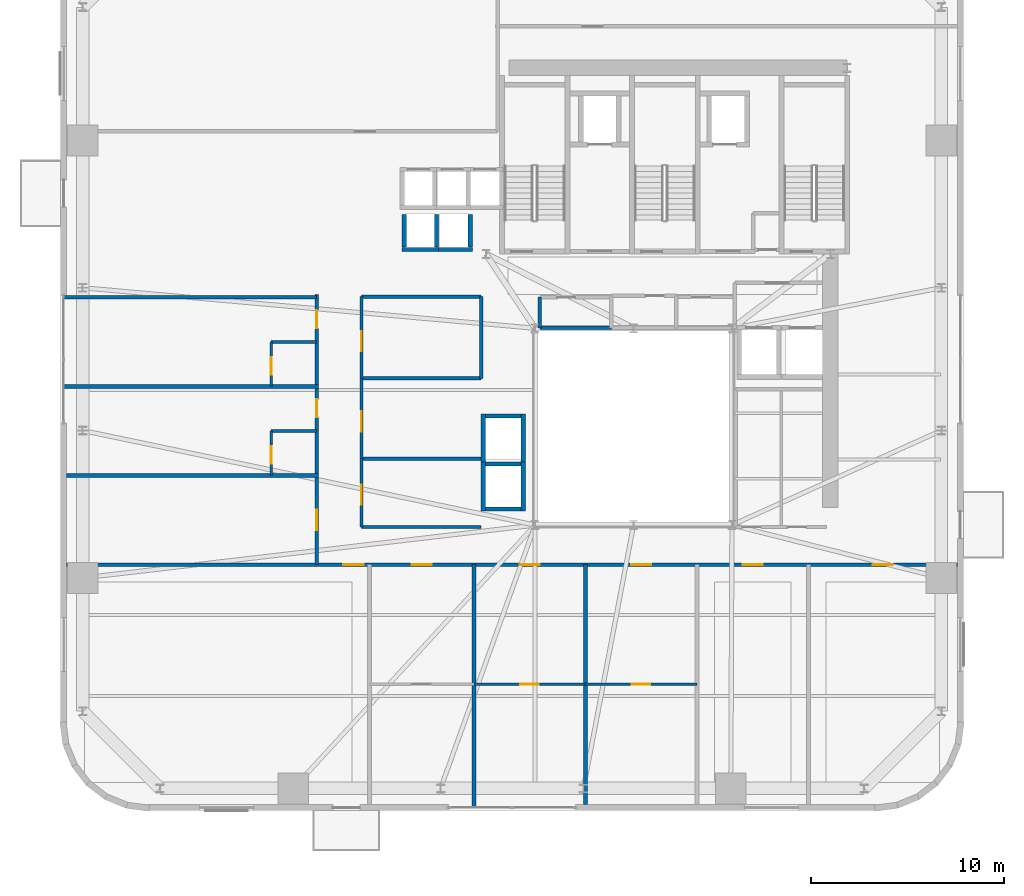
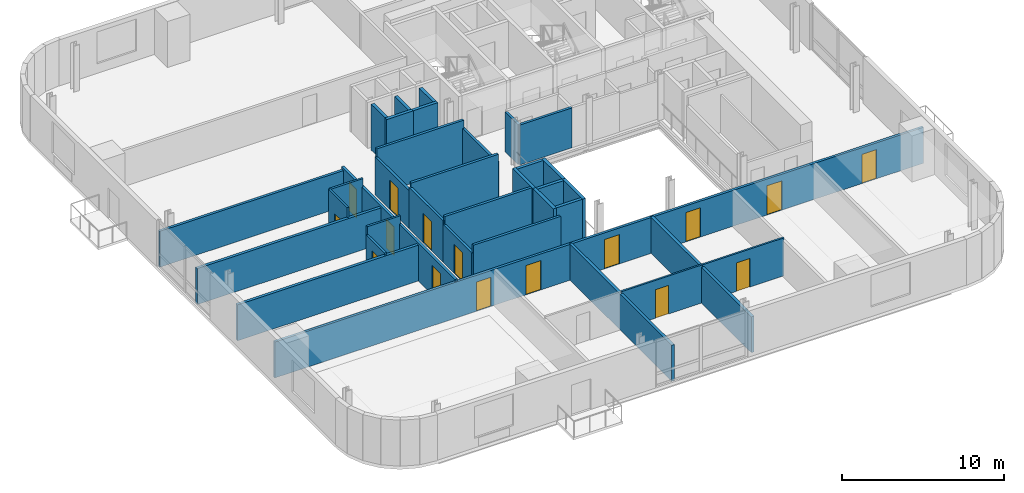
# One storey, part 6 of 14: 35 walls, 16 doors, 16 openings.
"""IFC4 building model written with IfcOpenShell, lengths in metres."""

import ifcopenshell
import ifcopenshell.guid

model = None  # the IFC model being written
_history = None  # IfcOwnerHistory: only IFC2X3 demands one
_inside = {}  # id of a spatial element -> (the spatial element, [elements in it])
_under = {}  # id of a project, library or spatial element -> (it, [spatial elements below it])
_declared = {}  # id of a project -> (the project, [libraries it declares])
_typed = {}  # id of a type object -> (the type object, [elements of that type])
_made_of = {}  # id of a material, layer set ... -> (it, [elements and type objects made of it])


def new_model(schema):
    """Start an empty IFC model of exactly this schema.

    Asked for "IFC4X3", IfcOpenShell would pick the latest addendum, in which some entities
    have other attributes; the version numbers below select the first issue.
    IFC2X3 requires an IfcOwnerHistory on every rooted entity: one is made here for all.
    """
    global model, _history
    if schema == "IFC4X3":
        model = ifcopenshell.file(schema_version=(4, 3, 0, 0))
    else:
        model = ifcopenshell.file(schema=schema)
    _inside.clear()
    _under.clear()
    _declared.clear()
    _typed.clear()
    _made_of.clear()
    _history = None
    if model.schema == "IFC2X3":
        org = make("IfcOrganization", Name="unknown")
        user = make(
            "IfcPersonAndOrganization",
            ThePerson=make("IfcPerson", FamilyName="unknown"),
            TheOrganization=org,
        )
        app = make(
            "IfcApplication",
            ApplicationDeveloper=org,
            Version="unknown",
            ApplicationFullName="unknown",
            ApplicationIdentifier="unknown",
        )
        _history = make(
            "IfcOwnerHistory",
            OwningUser=user,
            OwningApplication=app,
            ChangeAction="ADDED",
            CreationDate=0,
        )
    return model


def make(cls, **values):
    """One entity of the class cls with the attributes given. An attribute that is None is left unset."""
    return model.create_entity(
        cls, **{name: value for name, value in values.items() if value is not None}
    )


def rooted(cls, **values):
    """An entity with a GlobalId (a new one), such as an element, a storey or a relation."""
    return make(cls, GlobalId=ifcopenshell.guid.new(), OwnerHistory=_history, **values)


def si_unit(unit_type, name, prefix=None):
    """IfcSIUnit, for example si_unit("LENGTHUNIT", "METRE", prefix="MILLI")."""
    return make("IfcSIUnit", UnitType=unit_type, Prefix=prefix, Name=name)


def assignment(units):
    """IfcUnitAssignment: the units of a project."""
    return None if units is None else make("IfcUnitAssignment", Units=units)


def point(xyz):
    """IfcCartesianPoint."""
    return None if xyz is None else make("IfcCartesianPoint", Coordinates=xyz)


def direction(xyz):
    """IfcDirection."""
    return None if xyz is None else make("IfcDirection", DirectionRatios=xyz)


def frame(location, z_axis=None, x_axis=None):
    """IfcAxis2Placement3D, a coordinate frame: its origin and axes. An axis left out is left unset."""
    return make(
        "IfcAxis2Placement3D",
        Location=point(location),
        Axis=direction(z_axis),
        RefDirection=direction(x_axis),
    )


def frame_2d(location, x_axis=None):
    """IfcAxis2Placement2D, a coordinate frame in the plane: its origin and x axis."""
    return make(
        "IfcAxis2Placement2D", Location=point(location), RefDirection=direction(x_axis)
    )


def origin():
    """The frame at (0, 0, 0) with its axes left unset."""
    return frame((0.0, 0.0, 0.0))


def place(relative_to, where):
    """IfcLocalPlacement: puts the frame where relative to a parent placement (None: the world)."""
    return make(
        "IfcLocalPlacement", PlacementRelTo=relative_to, RelativePlacement=where
    )


def context(
    kind, dimensions, precision=None, world=None, true_north=None, identifier=None
):
    """IfcGeometricRepresentationContext, for example the 3D "Model" context."""
    return make(
        "IfcGeometricRepresentationContext",
        ContextIdentifier=identifier,
        ContextType=kind,
        CoordinateSpaceDimension=dimensions,
        Precision=precision,
        WorldCoordinateSystem=world,
        TrueNorth=true_north,
    )


def subcontext(parent, identifier, kind, view, scale=None):
    """IfcGeometricRepresentationSubContext, for example "Body" below "Model"."""
    return make(
        "IfcGeometricRepresentationSubContext",
        ContextIdentifier=identifier,
        ContextType=kind,
        ParentContext=parent,
        TargetScale=scale,
        TargetView=view,
    )


def project(units=None, contexts=None):
    """IfcProject with its units and contexts."""
    return rooted(
        "IfcProject",
        Name="project",
        RepresentationContexts=contexts,
        UnitsInContext=assignment(units),
    )


def spatial(cls, under=None, at=None, **own):
    """A site, building, storey or space (cls), placed at a placement, below another one or the project."""
    s = rooted(cls, ObjectPlacement=at, **own)
    if under is not None:
        _under.setdefault(under.id(), (under, []))[1].append(s)
    return s


def profile(cls, at=None, kind="AREA", **sizes):
    """A parametric profile (cls). Its sizes go by their IFC names, for example OverallWidth=200.0."""
    return make(cls, ProfileType=kind, Position=at, **sizes)


def rectangle(**sizes):
    """IfcRectangleProfileDef."""
    return profile("IfcRectangleProfileDef", **sizes)


def extrude(swept, where, along, depth):
    """IfcExtrudedAreaSolid: the profile swept, set in the frame where, extruded along a direction by depth."""
    return make(
        "IfcExtrudedAreaSolid",
        SweptArea=swept,
        Position=where,
        ExtrudedDirection=direction(along),
        Depth=depth,
    )


def shape(context_of_items, identifier, shape_type, items):
    """IfcShapeRepresentation: the items that make up one representation, for example the "Body"."""
    return make(
        "IfcShapeRepresentation",
        ContextOfItems=context_of_items,
        RepresentationIdentifier=identifier,
        RepresentationType=shape_type,
        Items=items,
    )


def source(mapping_origin, context_of_items, identifier, shape_type, items):
    """IfcRepresentationMap: a shape defined once, which mapped items show again and again."""
    return make(
        "IfcRepresentationMap",
        MappingOrigin=mapping_origin,
        MappedRepresentation=shape(context_of_items, identifier, shape_type, items),
    )


def transform(
    local_origin,
    x_axis=None,
    y_axis=None,
    z_axis=None,
    scale=None,
    scale2=None,
    scale3=None,
    uniform=True,
):
    """IfcCartesianTransformationOperator3D, or its non-uniform kind. x_axis, y_axis, z_axis: its Axis1, 2, 3."""
    if uniform:
        return make(
            "IfcCartesianTransformationOperator3D",
            Axis1=direction(x_axis),
            Axis2=direction(y_axis),
            LocalOrigin=point(local_origin),
            Scale=scale,
            Axis3=direction(z_axis),
        )
    return make(
        "IfcCartesianTransformationOperator3DnonUniform",
        Axis1=direction(x_axis),
        Axis2=direction(y_axis),
        LocalOrigin=point(local_origin),
        Scale=scale,
        Axis3=direction(z_axis),
        Scale2=scale2,
        Scale3=scale3,
    )


def mapped(mapping_source, mapping_target):
    """IfcMappedItem: shows the shape of a source again, moved by a transform."""
    return make(
        "IfcMappedItem", MappingSource=mapping_source, MappingTarget=mapping_target
    )


def material(Name=None, Category=None):
    """IfcMaterial."""
    return make("IfcMaterial", Name=Name, Category=Category)


def layer(
    of_material, thickness, ventilated=None, Name=None, Category=None, Priority=None
):
    """IfcMaterialLayer: one layer of a wall or slab, of a material (None: an air gap)."""
    return make(
        "IfcMaterialLayer",
        Material=of_material,
        LayerThickness=thickness,
        IsVentilated=ventilated,
        Name=Name,
        Category=Category,
        Priority=Priority,
    )


def layer_set(layers, Name=None):
    """IfcMaterialLayerSet."""
    return make("IfcMaterialLayerSet", MaterialLayers=layers, LayerSetName=Name)


def made_of(thing, what):
    """Note that an element or type object is made of a material, layer set ...; save() writes the relation."""
    if what is not None:
        _made_of.setdefault(what.id(), (what, []))[1].append(thing)
    return thing


def type_object(cls, material=None, **own):
    """A type object (cls), such as IfcWallType, which elements share."""
    return made_of(rooted(cls, **own), material)


def element(
    cls,
    number,
    at=None,
    inside=None,
    cuts=None,
    type_object=None,
    material=None,
    context=None,
    identifier="Body",
    shape_type=None,
    held_by="IfcProductDefinitionShape",
    body=None,
    shapes=None,
    **own,
):
    """One element of the class cls, such as IfcWall. Its Tag is "e" and its number.

    at: its placement. inside: the storey or other place that contains it. cuts: it is an
    opening in that element (IfcRelVoidsElement). A single representation is given by context,
    identifier, shape_type and body (its items); several are given by shapes. held_by: the class
    of the entity that holds the representations. save() writes the other relations.
    """
    e = rooted(cls, Tag="e%d" % number, ObjectPlacement=at, **own)
    if body is not None:
        shapes = [shape(context, identifier, shape_type, body)]
    if shapes is not None:
        e.Representation = make(held_by, Representations=shapes)
    if inside is not None:
        _inside.setdefault(inside.id(), (inside, []))[1].append(e)
    if cuts is not None:
        rooted(
            "IfcRelVoidsElement", RelatingBuildingElement=cuts, RelatedOpeningElement=e
        )
    if type_object is not None:
        _typed.setdefault(type_object.id(), (type_object, []))[1].append(e)
    return made_of(e, material)


def fill(opening, filler):
    """IfcRelFillsElement: the door or window that sits in an opening."""
    return rooted(
        "IfcRelFillsElement",
        RelatingOpeningElement=opening,
        RelatedBuildingElement=filler,
    )


def aggregate(whole, parts):
    """IfcRelAggregates: a whole, such as a stair, and the parts it consists of."""
    return rooted("IfcRelAggregates", RelatingObject=whole, RelatedObjects=parts)


def save(model, path):
    """Write the relations noted so far, then the file.

    IfcRelAggregates (storeys below a building ...), IfcRelContainedInSpatialStructure (elements
    in a storey), IfcRelDefinesByType, IfcRelAssociatesMaterial and IfcRelDeclares: one each for
    every whole, place, type object, material and project.
    """
    for whole, parts in _under.values():
        aggregate(whole, parts)
    for where, things in _inside.values():
        rooted(
            "IfcRelContainedInSpatialStructure",
            RelatedElements=things,
            RelatingStructure=where,
        )
    for kind, things in _typed.values():
        rooted("IfcRelDefinesByType", RelatedObjects=things, RelatingType=kind)
    for what, things in _made_of.values():
        rooted("IfcRelAssociatesMaterial", RelatedObjects=things, RelatingMaterial=what)
    for by, libraries in _declared.values():
        rooted("IfcRelDeclares", RelatingContext=by, RelatedDefinitions=libraries)
    model.write(path)


model = new_model("IFC4")

# Units and contexts
model_context = context("Model", 3, precision=1e-05, world=origin(), true_north=direction((0.0, 1.0)))
body_context = subcontext(model_context, "Body", "Model", "MODEL_VIEW")
ifc_project = project(units=[si_unit("LENGTHUNIT", "METRE"), si_unit("AREAUNIT", "SQUARE_METRE"), si_unit("VOLUMEUNIT", "CUBIC_METRE"), si_unit("PLANEANGLEUNIT", "RADIAN"), si_unit("MASSUNIT", "GRAM", prefix="KILO")], contexts=[model_context])

# Site, building, storey
site_placement = place(None, origin())
site = spatial("IfcSite", under=ifc_project, at=site_placement, CompositionType="ELEMENT")
building_placement = place(site_placement, origin())
building = spatial("IfcBuilding", under=site, at=building_placement, Name="Vardaveli Station Tower", CompositionType="ELEMENT")
storey_placement = place(building_placement, frame((0.0, 0.0, 148.300048828125)))
storey = spatial("IfcBuildingStorey", under=building, at=storey_placement, Name="L38", CompositionType="ELEMENT", Elevation=148.300048828125)

# Walls
ifc_material_1 = material(Name="Concrete C40/50", Category="concrete")
ifc_layer_1 = layer(ifc_material_1, 0.219970703125, Name="Concrete C40/50")
ifc_layer_set_1 = layer_set([ifc_layer_1], Name="Concrete C40/50")
wall_type_1 = type_object("IfcWallType", Name="WAL-FFLOBBY-220", PredefinedType="SOLIDWALL", material=ifc_layer_set_1)
shared_shape_1 = source(origin(), body_context, "Body", "SweptSolid", [
    extrude(rectangle(XDim=1.89013671875, YDim=0.219970703125, at=frame_2d((0.945068359375, 0.0))), origin(), (0.0, 0.0, 1.0), 3.4599609375),
])
for number, where, z_axis, x_axis, name in (
    (1, (24.304931640625, 30.889892578125, 0.0), (0.0, 0.0, 1.0), (1.0, 0.0, 0.0), "SHW-SHU-01-L38-S"),
    (2, (26.054931640625, 30.889892578125, 0.0), (0.0, 0.0, 1.0), (1.0, 0.0, 0.0), "SHW-SHU-02-L38-S"),
):
    element("IfcWall", number, at=place(storey_placement, frame(where, z_axis=z_axis, x_axis=x_axis)), inside=storey, type_object=wall_type_1, Name=name, PredefinedType="SOLIDWALL", context=body_context, shape_type="MappedRepresentation", body=[
        mapped(shared_shape_1, transform((0.0, 0.0, 0.0), scale=1.0)),
    ])
shared_shape_2 = source(origin(), body_context, "Body", "SweptSolid", [
    extrude(rectangle(XDim=1.699951171875, YDim=0.219970703125, at=frame_2d((0.85009765625, 0.0))), origin(), (0.0, 0.0, 1.0), 3.4599609375),
])
for number, where, z_axis, x_axis, name in (
    (3, (24.4150390625, 31.0, 0.0), (0.0, 0.0, 1.0), (0.0, 1.0, 0.0), "SHW-SHU-01-L38-W"),
    (4, (26.0849609375, 31.0, 0.0), (0.0, 0.0, 1.0), (0.0, 1.0, 0.0), "SHW-SHU-01-L38-E"),
    (5, (27.8349609375, 31.0, 0.0), (0.0, 0.0, 1.0), (0.0, 1.0, 0.0), "SHW-SHU-02-L38-E"),
):
    element("IfcWall", number, at=place(storey_placement, frame(where, z_axis=z_axis, x_axis=x_axis)), inside=storey, type_object=wall_type_1, Name=name, PredefinedType="SOLIDWALL", context=body_context, shape_type="MappedRepresentation", body=[
        mapped(shared_shape_2, transform((0.0, 0.0, 0.0), scale=1.0)),
    ])
shared_shape_3 = source(origin(), body_context, "Body", "SweptSolid", [
    extrude(rectangle(XDim=1.85009765625, YDim=0.219970703125, at=frame_2d((0.925048828125, 0.0))), origin(), (0.0, 0.0, 1.0), 3.4599609375),
])
for number, where, z_axis, x_axis, name in (
    (6, (28.625, 17.43994140625, 0.0), (0.0, 0.0, 1.0), (1.0, 0.0, 0.0), "SHW-OBS-01-L38-S"),
    (7, (28.625, 19.760009765625, 0.0), (0.0, 0.0, 1.0), (1.0, 0.0, 0.0), "SHW-OBS-01-L38-N"),
    (8, (28.625, 22.260009765625, 0.0), (0.0, 0.0, 1.0), (1.0, 0.0, 0.0), "SHW-OBS-02-L38-N"),
):
    element("IfcWall", number, at=place(storey_placement, frame(where, z_axis=z_axis, x_axis=x_axis)), inside=storey, type_object=wall_type_1, Name=name, PredefinedType="SOLIDWALL", context=body_context, shape_type="MappedRepresentation", body=[
        mapped(shared_shape_3, transform((0.0, 0.0, 0.0), scale=1.0)),
    ])
shared_shape_4 = source(origin(), body_context, "Body", "SweptSolid", [
    extrude(rectangle(XDim=2.5400390625, YDim=0.219970703125, at=frame_2d((1.27001953125, 0.0))), origin(), (0.0, 0.0, 1.0), 3.4599609375),
])
for number, where, z_axis, x_axis, name in (
    (9, (28.514892578125, 17.330078125, 0.0), (0.0, 0.0, 1.0), (0.0, 1.0, 0.0), "SHW-OBS-01-L38-W"),
    (10, (30.5849609375, 17.330078125, 0.0), (0.0, 0.0, 1.0), (0.0, 1.0, 0.0), "SHW-OBS-01-L38-E"),
    (11, (28.514892578125, 19.830078125, 0.0), (0.0, 0.0, 1.0), (0.0, 1.0, 0.0), "SHW-OBS-02-L38-W"),
    (12, (30.5849609375, 19.830078125, 0.0), (0.0, 0.0, 1.0), (0.0, 1.0, 0.0), "SHW-OBS-02-L38-E"),
):
    element("IfcWall", number, at=place(storey_placement, frame(where, z_axis=z_axis, x_axis=x_axis)), inside=storey, type_object=wall_type_1, Name=name, PredefinedType="SOLIDWALL", context=body_context, shape_type="MappedRepresentation", body=[
        mapped(shared_shape_4, transform((0.0, 0.0, 0.0), scale=1.0)),
    ])

# Wall, openings, doors
ifc_material_2 = material(Name="Fire-rated gypsum stud partition")
ifc_layer_2 = layer(ifc_material_2, 0.179931640625, Name="Fire-rated gypsum stud partition")
ifc_layer_set_2 = layer_set([ifc_layer_2], Name="Fire-rated gypsum stud partition")
wall_type_2 = type_object("IfcWallType", Name="WAL-CORR-180", PredefinedType="PARTITIONING", material=ifc_layer_set_2)
shared_shape_5 = source(origin(), body_context, "Body", "SweptSolid", [
    extrude(rectangle(XDim=46.15576171875, YDim=0.179931640625, at=frame_2d((23.077880859375, 0.0))), origin(), (0.0, 0.0, 1.0), 2.701904296875),
])
wall_1_placement = place(storey_placement, frame((6.922119140625, 14.550048828125, 0.0), z_axis=(0.0, 0.0, 1.0), x_axis=(1.0, 0.0, 0.0)))
wall_1 = element("IfcWall", 13, at=wall_1_placement, inside=storey, type_object=wall_type_2, Name="W-L38-CS", PredefinedType="PARTITIONING", context=body_context, shape_type="MappedRepresentation", body=[
    mapped(shared_shape_5, transform((0.0, 0.0, 0.0), scale=1.0)),
])
shared_shape_6 = source(origin(), body_context, "Body", "SweptSolid", [
    extrude(rectangle(XDim=1.050048828125, YDim=2.199951171875, at=frame_2d((0.52490234375, 1.10009765625))), frame((0.0, 0.10009765625, 0.0), z_axis=(0.0, -1.0, 0.0), x_axis=(1.0, 0.0, 0.0)), (0.0, 0.0, 1.0), 0.199951171875),
])
opening_1_placement = place(wall_1_placement, frame((14.33837890625, 0.0, 0.0)))
opening_1 = element("IfcOpeningElement", 14, at=opening_1_placement, cuts=wall_1, Name="Opening D-05", PredefinedType="OPENING", context=body_context, shape_type="MappedRepresentation", body=[
    mapped(shared_shape_6, transform((0.0, 0.0, 0.0), scale=1.0)),
])
opening_2_placement = place(wall_1_placement, frame((17.877685546875, 0.0, 0.0)))
opening_2 = element("IfcOpeningElement", 15, at=opening_2_placement, cuts=wall_1, Name="Opening D-05", PredefinedType="OPENING", context=body_context, shape_type="MappedRepresentation", body=[
    mapped(shared_shape_6, transform((0.0, 0.0, 0.0), scale=1.0)),
])
opening_3_placement = place(wall_1_placement, frame((23.476806640625, 0.0, 0.0)))
opening_3 = element("IfcOpeningElement", 16, at=opening_3_placement, cuts=wall_1, Name="Opening D-05", PredefinedType="OPENING", context=body_context, shape_type="MappedRepresentation", body=[
    mapped(shared_shape_6, transform((0.0, 0.0, 0.0), scale=1.0)),
])
opening_4_placement = place(wall_1_placement, frame((29.255859375, 0.0, 0.0)))
opening_4 = element("IfcOpeningElement", 17, at=opening_4_placement, cuts=wall_1, Name="Opening D-05", PredefinedType="OPENING", context=body_context, shape_type="MappedRepresentation", body=[
    mapped(shared_shape_6, transform((0.0, 0.0, 0.0), scale=1.0)),
])
opening_5_placement = place(wall_1_placement, frame((35.03515625, 0.0, 0.0)))
opening_5 = element("IfcOpeningElement", 18, at=opening_5_placement, cuts=wall_1, Name="Opening D-05", PredefinedType="OPENING", context=body_context, shape_type="MappedRepresentation", body=[
    mapped(shared_shape_6, transform((0.0, 0.0, 0.0), scale=1.0)),
])
opening_6_placement = place(wall_1_placement, frame((41.766357421875, 0.0, 0.0)))
opening_6 = element("IfcOpeningElement", 19, at=opening_6_placement, cuts=wall_1, Name="Opening D-05", PredefinedType="OPENING", context=body_context, shape_type="MappedRepresentation", body=[
    mapped(shared_shape_6, transform((0.0, 0.0, 0.0), scale=1.0)),
])
ifc_material_3 = material(Name="Walnut veneer acoustic fire door")
door_type_1 = type_object("IfcDoorType", Name="DR-SUITE-1050x2200", OperationType="NOTDEFINED", PredefinedType="DOOR", material=ifc_material_3)
shared_shape_7 = source(origin(), body_context, "Body", "SweptSolid", [
    extrude(rectangle(XDim=1.050048828125, YDim=2.199951171875, at=frame_2d((0.52490234375, 1.10009765625))), frame((0.0, 0.02490234375, 0.0), z_axis=(0.0, -1.0, 0.0), x_axis=(1.0, 0.0, 0.0)), (0.0, 0.0, 1.0), 0.050048828125),
])
door_1_placement = place(opening_1_placement, origin())
door_1 = element("IfcDoor", 20, at=door_1_placement, inside=storey, type_object=door_type_1, Name="D-L38-SA1", OperationType="SINGLE_SWING_RIGHT", OverallHeight=2.199951171875, OverallWidth=1.050048828125, PredefinedType="DOOR", context=body_context, shape_type="MappedRepresentation", body=[
    mapped(shared_shape_7, transform((0.0, 0.0, 0.0), scale=1.0)),
])
fill(opening_1, door_1)
door_2_placement = place(opening_2_placement, origin())
door_2 = element("IfcDoor", 21, at=door_2_placement, inside=storey, type_object=door_type_1, Name="D-L38-SCB2", OperationType="SINGLE_SWING_LEFT", OverallHeight=2.199951171875, OverallWidth=1.050048828125, PredefinedType="DOOR", context=body_context, shape_type="MappedRepresentation", body=[
    mapped(shared_shape_7, transform((0.0, 0.0, 0.0), scale=1.0)),
])
fill(opening_2, door_2)
door_3_placement = place(opening_3_placement, origin())
door_3 = element("IfcDoor", 22, at=door_3_placement, inside=storey, type_object=door_type_1, Name="D-L38-SCB3", OperationType="SINGLE_SWING_RIGHT", OverallHeight=2.199951171875, OverallWidth=1.050048828125, PredefinedType="DOOR", context=body_context, shape_type="MappedRepresentation", body=[
    mapped(shared_shape_7, transform((0.0, 0.0, 0.0), scale=1.0)),
])
fill(opening_3, door_3)
door_4_placement = place(opening_4_placement, origin())
door_4 = element("IfcDoor", 23, at=door_4_placement, inside=storey, type_object=door_type_1, Name="D-L38-SCB4", OperationType="SINGLE_SWING_LEFT", OverallHeight=2.199951171875, OverallWidth=1.050048828125, PredefinedType="DOOR", context=body_context, shape_type="MappedRepresentation", body=[
    mapped(shared_shape_7, transform((0.0, 0.0, 0.0), scale=1.0)),
])
fill(opening_4, door_4)
door_5_placement = place(opening_5_placement, origin())
door_5 = element("IfcDoor", 24, at=door_5_placement, inside=storey, type_object=door_type_1, Name="D-L38-SA5", OperationType="SINGLE_SWING_RIGHT", OverallHeight=2.199951171875, OverallWidth=1.050048828125, PredefinedType="DOOR", context=body_context, shape_type="MappedRepresentation", body=[
    mapped(shared_shape_7, transform((0.0, 0.0, 0.0), scale=1.0)),
])
fill(opening_5, door_5)
door_6_placement = place(opening_6_placement, origin())
door_6 = element("IfcDoor", 25, at=door_6_placement, inside=storey, type_object=door_type_1, Name="D-L38-SA6", OperationType="SINGLE_SWING_LEFT", OverallHeight=2.199951171875, OverallWidth=1.050048828125, PredefinedType="DOOR", context=body_context, shape_type="MappedRepresentation", body=[
    mapped(shared_shape_7, transform((0.0, 0.0, 0.0), scale=1.0)),
])
fill(opening_6, door_6)

shared_shape_8 = source(origin(), body_context, "Body", "SweptSolid", [
    extrude(rectangle(XDim=14.0, YDim=0.179931640625, at=frame_2d((7.0, 0.0))), origin(), (0.0, 0.0, 1.0), 2.85205078125),
])
wall_2_placement = place(storey_placement, frame((19.8798828125, 14.550048828125, 0.0), z_axis=(0.0, 0.0, 1.0), x_axis=(0.0, 1.0, 0.0)))
wall_2 = element("IfcWall", 26, at=wall_2_placement, inside=storey, type_object=wall_type_2, Name="W-L38-CW", PredefinedType="PARTITIONING", context=body_context, shape_type="MappedRepresentation", body=[
    mapped(shared_shape_8, transform((0.0, 0.0, 0.0), scale=1.0)),
])
opening_7_placement = place(wall_2_placement, frame((1.788330078125, 0.0, 0.0)))
opening_7 = element("IfcOpeningElement", 27, at=opening_7_placement, cuts=wall_2, Name="Opening D-05", PredefinedType="OPENING", context=body_context, shape_type="MappedRepresentation", body=[
    mapped(shared_shape_6, transform((0.0, 0.0, 0.0), scale=1.0)),
])
shared_shape_9 = source(origin(), body_context, "Body", "SweptSolid", [
    extrude(rectangle(XDim=0.949951171875, YDim=2.14990234375, at=frame_2d((0.47509765625, 1.074951171875))), frame((0.0, 0.10009765625, 0.0), z_axis=(0.0, -1.0, 0.0), x_axis=(1.0, 0.0, 0.0)), (0.0, 0.0, 1.0), 0.199951171875),
])
opening_8_placement = place(wall_2_placement, frame((7.6298828125, 0.0, 0.0)))
opening_8 = element("IfcOpeningElement", 28, at=opening_8_placement, cuts=wall_2, Name="Opening D-06", PredefinedType="OPENING", context=body_context, shape_type="MappedRepresentation", body=[
    mapped(shared_shape_9, transform((0.0, 0.0, 0.0), scale=1.0)),
])
opening_9_placement = place(wall_2_placement, frame((12.24658203125, 0.0, 0.0)))
opening_9 = element("IfcOpeningElement", 29, at=opening_9_placement, cuts=wall_2, Name="Opening D-06", PredefinedType="OPENING", context=body_context, shape_type="MappedRepresentation", body=[
    mapped(shared_shape_9, transform((0.0, 0.0, 0.0), scale=1.0)),
])
door_7_placement = place(opening_7_placement, origin())
door_7 = element("IfcDoor", 30, at=door_7_placement, inside=storey, type_object=door_type_1, Name="D-L38-GW1", OperationType="SINGLE_SWING_RIGHT", OverallHeight=2.199951171875, OverallWidth=1.050048828125, PredefinedType="DOOR", context=body_context, shape_type="MappedRepresentation", body=[
    mapped(shared_shape_7, transform((0.0, 0.0, 0.0), scale=1.0)),
])
fill(opening_7, door_7)
ifc_material_4 = material(Name="Oak veneer acoustic fire door")
door_type_2 = type_object("IfcDoorType", Name="DR-GUEST-950x2150", OperationType="NOTDEFINED", PredefinedType="DOOR", material=ifc_material_4)
shared_shape_10 = source(origin(), body_context, "Body", "SweptSolid", [
    extrude(rectangle(XDim=0.949951171875, YDim=2.14990234375, at=frame_2d((0.47509765625, 1.074951171875))), frame((0.0, 0.02490234375, 0.0), z_axis=(0.0, -1.0, 0.0), x_axis=(1.0, 0.0, 0.0)), (0.0, 0.0, 1.0), 0.050048828125),
])
door_8_placement = place(opening_8_placement, origin())
door_8 = element("IfcDoor", 31, at=door_8_placement, inside=storey, type_object=door_type_2, Name="D-L38-GW2", OperationType="SINGLE_SWING_LEFT", OverallHeight=2.14990234375, OverallWidth=0.949951171875, PredefinedType="DOOR", context=body_context, shape_type="MappedRepresentation", body=[
    mapped(shared_shape_10, transform((0.0, 0.0, 0.0), scale=1.0)),
])
fill(opening_8, door_8)
door_9_placement = place(opening_9_placement, origin())
door_9 = element("IfcDoor", 32, at=door_9_placement, inside=storey, type_object=door_type_2, Name="D-L38-GW3", OperationType="SINGLE_SWING_RIGHT", OverallHeight=2.14990234375, OverallWidth=0.949951171875, PredefinedType="DOOR", context=body_context, shape_type="MappedRepresentation", body=[
    mapped(shared_shape_10, transform((0.0, 0.0, 0.0), scale=1.0)),
])
fill(opening_9, door_9)

# Walls
ifc_material_5 = material(Name="Acoustic twin-stud gypsum partition")
ifc_layer_3 = layer(ifc_material_5, 0.199951171875, Name="Acoustic twin-stud gypsum partition")
ifc_layer_set_3 = layer_set([ifc_layer_3], Name="Acoustic twin-stud gypsum partition")
wall_type_3 = type_object("IfcWallType", Name="WAL-PARTY-200", PredefinedType="PARTITIONING", material=ifc_layer_set_3)
shared_shape_11 = source(origin(), body_context, "Body", "SweptSolid", [
    extrude(rectangle(XDim=12.427978515625, YDim=0.199951171875, at=frame_2d((6.2138671875, 0.0))), origin(), (0.0, 0.0, 1.0), 2.701904296875),
])
wall_3_placement = place(storey_placement, frame((33.80810546875, 2.1220703125, 0.0), z_axis=(0.0, 0.0, 1.0), x_axis=(0.0, 1.0, 0.0)))
element("IfcWall", 33, at=wall_3_placement, inside=storey, type_object=wall_type_3, Name="W-L38-PS3", PredefinedType="PARTITIONING", context=body_context, shape_type="MappedRepresentation", body=[
    mapped(shared_shape_11, transform((0.0, 0.0, 0.0), scale=1.0)),
])
shared_shape_12 = source(origin(), body_context, "Body", "SweptSolid", [
    extrude(rectangle(XDim=12.6201171875, YDim=0.199951171875, at=frame_2d((6.31005859375, 0.0))), origin(), (0.0, 0.0, 1.0), 2.701904296875),
])
wall_4_placement = place(storey_placement, frame((28.029052734375, 1.929931640625, 0.0), z_axis=(0.0, 0.0, 1.0), x_axis=(0.0, 1.0, 0.0)))
element("IfcWall", 34, at=wall_4_placement, inside=storey, type_object=wall_type_3, Name="W-L38-PS2", PredefinedType="PARTITIONING", context=body_context, shape_type="MappedRepresentation", body=[
    mapped(shared_shape_12, transform((0.0, 0.0, 0.0), scale=1.0)),
])

# Wall, opening, door
ifc_material_6 = material(Name="Moisture-resistant stud partition")
ifc_layer_4 = layer(ifc_material_6, 0.14990234375, Name="Moisture-resistant stud partition")
ifc_layer_set_4 = layer_set([ifc_layer_4], Name="Moisture-resistant stud partition")
wall_type_4 = type_object("IfcWallType", Name="WAL-WET-150", PredefinedType="PARTITIONING", material=ifc_layer_set_4)
shared_shape_13 = source(origin(), body_context, "Body", "SweptSolid", [
    extrude(rectangle(XDim=2.2900390625, YDim=0.14990234375, at=frame_2d((1.14501953125, 0.0))), origin(), (0.0, 0.0, 1.0), 2.85205078125),
])
wall_5_placement = place(storey_placement, frame((17.52001953125, 19.18701171875, 0.0), z_axis=(0.0, 0.0, 1.0), x_axis=(0.0, 1.0, 0.0)))
wall_5 = element("IfcWall", 35, at=wall_5_placement, inside=storey, type_object=wall_type_4, Name="W-L38-BW2-W", PredefinedType="PARTITIONING", context=body_context, shape_type="MappedRepresentation", body=[
    mapped(shared_shape_13, transform((0.0, 0.0, 0.0), scale=1.0)),
])
shared_shape_14 = source(origin(), body_context, "Body", "SweptSolid", [
    extrude(rectangle(XDim=0.89990234375, YDim=2.10009765625, at=frame_2d((0.449951171875, 1.050048828125))), frame((0.0, 0.0849609375, 0.0), z_axis=(0.0, -1.0, 0.0), x_axis=(1.0, 0.0, 0.0)), (0.0, 0.0, 1.0), 0.169921875),
])
opening_10_placement = place(wall_5_placement, frame((0.60009765625, 0.0, 0.0)))
opening_10 = element("IfcOpeningElement", 36, at=opening_10_placement, cuts=wall_5, Name="Opening D-08", PredefinedType="OPENING", context=body_context, shape_type="MappedRepresentation", body=[
    mapped(shared_shape_14, transform((0.0, 0.0, 0.0), scale=1.0)),
])
ifc_material_7 = material(Name="Moisture-resistant oak door")
door_type_3 = type_object("IfcDoorType", Name="DR-BATH-900x2100", OperationType="NOTDEFINED", PredefinedType="DOOR", material=ifc_material_7)
shared_shape_15 = source(origin(), body_context, "Body", "SweptSolid", [
    extrude(rectangle(XDim=0.89990234375, YDim=2.10009765625, at=frame_2d((0.449951171875, 1.050048828125))), frame((0.0, 0.02490234375, 0.0), z_axis=(0.0, -1.0, 0.0), x_axis=(1.0, 0.0, 0.0)), (0.0, 0.0, 1.0), 0.050048828125),
])
door_10_placement = place(opening_10_placement, origin())
door_10 = element("IfcDoor", 37, at=door_10_placement, inside=storey, type_object=door_type_3, Name="D-L38-BW2", OperationType="SINGLE_SWING_RIGHT", OverallHeight=2.10009765625, OverallWidth=0.89990234375, PredefinedType="DOOR", context=body_context, shape_type="MappedRepresentation", body=[
    mapped(shared_shape_15, transform((0.0, 0.0, 0.0), scale=1.0)),
])
fill(opening_10, door_10)

shared_shape_16 = source(origin(), body_context, "Body", "SweptSolid", [
    extrude(rectangle(XDim=4.239990234375, YDim=0.179931640625, at=frame_2d((2.1201171875, 0.0))), origin(), (0.0, 0.0, 1.0), 2.85205078125),
])
wall_6_placement = place(storey_placement, frame((22.199951171875, 24.199951171875, 0.0), z_axis=(0.0, 0.0, 1.0), x_axis=(0.0, 1.0, 0.0)))
wall_6 = element("IfcWall", 38, at=wall_6_placement, inside=storey, type_object=wall_type_2, Name="W-L38-ATWC-W", PredefinedType="PARTITIONING", context=body_context, shape_type="MappedRepresentation", body=[
    mapped(shared_shape_16, transform((0.0, 0.0, 0.0), scale=1.0)),
])
opening_11_placement = place(wall_6_placement, frame((1.39990234375, 0.0, 0.0)))
opening_11 = element("IfcOpeningElement", 39, at=opening_11_placement, cuts=wall_6, Name="Opening D-05", PredefinedType="OPENING", context=body_context, shape_type="MappedRepresentation", body=[
    mapped(shared_shape_6, transform((0.0, 0.0, 0.0), scale=1.0)),
])
door_11_placement = place(opening_11_placement, origin())
door_11 = element("IfcDoor", 40, at=door_11_placement, inside=storey, type_object=door_type_1, Name="D-L38-ATW3", OperationType="SINGLE_SWING_LEFT", OverallHeight=2.199951171875, OverallWidth=1.050048828125, PredefinedType="DOOR", context=body_context, shape_type="MappedRepresentation", body=[
    mapped(shared_shape_7, transform((0.0, 0.0, 0.0), scale=1.0)),
])
fill(opening_11, door_11)

# Wall
wall_7_placement = place(storey_placement, frame((28.39990234375, 24.199951171875, 0.0), z_axis=(0.0, 0.0, 1.0), x_axis=(0.0, 1.0, 0.0)))
element("IfcWall", 41, at=wall_7_placement, inside=storey, type_object=wall_type_2, Name="W-L38-ATWC-E", PredefinedType="PARTITIONING", context=body_context, shape_type="MappedRepresentation", body=[
    mapped(shared_shape_16, transform((0.0, 0.0, 0.0), scale=1.0)),
])

# Wall, opening, door
shared_shape_17 = source(origin(), body_context, "Body", "SweptSolid", [
    extrude(rectangle(XDim=4.14990234375, YDim=0.179931640625, at=frame_2d((2.074951171875, 0.0))), origin(), (0.0, 0.0, 1.0), 3.1220703125),
])
wall_8_placement = place(storey_placement, frame((22.199951171875, 20.050048828125, 0.0), z_axis=(0.0, 0.0, 1.0), x_axis=(0.0, 1.0, 0.0)))
wall_8 = element("IfcWall", 42, at=wall_8_placement, inside=storey, type_object=wall_type_2, Name="W-L38-ATWB-W", PredefinedType="PARTITIONING", context=body_context, shape_type="MappedRepresentation", body=[
    mapped(shared_shape_17, transform((0.0, 0.0, 0.0), scale=1.0)),
])
opening_12_placement = place(wall_8_placement, frame((1.39990234375, 0.0, 0.0)))
opening_12 = element("IfcOpeningElement", 43, at=opening_12_placement, cuts=wall_8, Name="Opening D-05", PredefinedType="OPENING", context=body_context, shape_type="MappedRepresentation", body=[
    mapped(shared_shape_6, transform((0.0, 0.0, 0.0), scale=1.0)),
])
door_12_placement = place(opening_12_placement, origin())
door_12 = element("IfcDoor", 44, at=door_12_placement, inside=storey, type_object=door_type_1, Name="D-L38-ATW2", OperationType="SINGLE_SWING_RIGHT", OverallHeight=2.199951171875, OverallWidth=1.050048828125, PredefinedType="DOOR", context=body_context, shape_type="MappedRepresentation", body=[
    mapped(shared_shape_7, transform((0.0, 0.0, 0.0), scale=1.0)),
])
fill(opening_12, door_12)

shared_shape_18 = source(origin(), body_context, "Body", "SweptSolid", [
    extrude(rectangle(XDim=3.550048828125, YDim=0.179931640625, at=frame_2d((1.77490234375, 0.0))), origin(), (0.0, 0.0, 1.0), 2.85205078125),
])
wall_9_placement = place(storey_placement, frame((22.199951171875, 16.5, 0.0), z_axis=(0.0, 0.0, 1.0), x_axis=(0.0, 1.0, 0.0)))
wall_9 = element("IfcWall", 45, at=wall_9_placement, inside=storey, type_object=wall_type_2, Name="W-L38-ATWA-W", PredefinedType="PARTITIONING", context=body_context, shape_type="MappedRepresentation", body=[
    mapped(shared_shape_18, transform((0.0, 0.0, 0.0), scale=1.0)),
])
opening_13_placement = place(wall_9_placement, frame((1.14990234375, 0.0, 0.0)))
opening_13 = element("IfcOpeningElement", 46, at=opening_13_placement, cuts=wall_9, Name="Opening D-05", PredefinedType="OPENING", context=body_context, shape_type="MappedRepresentation", body=[
    mapped(shared_shape_6, transform((0.0, 0.0, 0.0), scale=1.0)),
])
door_13_placement = place(opening_13_placement, origin())
door_13 = element("IfcDoor", 47, at=door_13_placement, inside=storey, type_object=door_type_1, Name="D-L38-ATW1", OperationType="SINGLE_SWING_RIGHT", OverallHeight=2.199951171875, OverallWidth=1.050048828125, PredefinedType="DOOR", context=body_context, shape_type="MappedRepresentation", body=[
    mapped(shared_shape_7, transform((0.0, 0.0, 0.0), scale=1.0)),
])
fill(opening_13, door_13)

# Walls
shared_shape_19 = source(origin(), body_context, "Body", "SweptSolid", [
    extrude(rectangle(XDim=3.699951171875, YDim=0.179931640625, at=frame_2d((1.85009765625, 0.0))), origin(), (0.0, 0.0, 1.0), 3.001953125),
])
wall_10_placement = place(storey_placement, frame((31.449951171875, 26.820068359375, 0.0), z_axis=(0.0, 0.0, 1.0), x_axis=(1.0, 0.0, 0.0)))
element("IfcWall", 48, at=wall_10_placement, inside=storey, type_object=wall_type_2, Name="W-L38-CS2A-S", PredefinedType="PARTITIONING", context=body_context, shape_type="MappedRepresentation", body=[
    mapped(shared_shape_19, transform((0.0, 0.0, 0.0), scale=1.0)),
])
shared_shape_20 = source(origin(), body_context, "Body", "SweptSolid", [
    extrude(rectangle(XDim=1.599853515625, YDim=0.179931640625, at=frame_2d((0.7998046875, 0.0))), origin(), (0.0, 0.0, 1.0), 3.001953125),
])
wall_11_placement = place(storey_placement, frame((31.449951171875, 26.820068359375, 0.0), z_axis=(0.0, 0.0, 1.0), x_axis=(0.0, 1.0, 0.0)))
element("IfcWall", 49, at=wall_11_placement, inside=storey, type_object=wall_type_2, Name="W-L38-CS2A-W", PredefinedType="PARTITIONING", context=body_context, shape_type="MappedRepresentation", body=[
    mapped(shared_shape_20, transform((0.0, 0.0, 0.0), scale=1.0)),
])
shared_shape_21 = source(origin(), body_context, "Body", "SweptSolid", [
    extrude(rectangle(XDim=13.14990234375, YDim=0.179931640625, at=frame_2d((6.574951171875, 0.0))), origin(), (0.0, 0.0, 1.0), 2.701904296875),
])
wall_12_placement = place(storey_placement, frame((6.72998046875, 28.39990234375, 0.0), z_axis=(0.0, 0.0, 1.0), x_axis=(1.0, 0.0, 0.0)))
element("IfcWall", 50, at=wall_12_placement, inside=storey, type_object=wall_type_2, Name="W-L38-CWN", PredefinedType="PARTITIONING", context=body_context, shape_type="MappedRepresentation", body=[
    mapped(shared_shape_21, transform((0.0, 0.0, 0.0), scale=1.0)),
])
shared_shape_22 = source(origin(), body_context, "Body", "SweptSolid", [
    extrude(rectangle(XDim=6.199951171875, YDim=0.179931640625, at=frame_2d((3.10009765625, 0.0))), origin(), (0.0, 0.0, 1.0), 3.4599609375),
])
for number, where, z_axis, x_axis, name in (
    (51, (22.199951171875, 16.5, 0.0), (0.0, 0.0, 1.0), (1.0, 0.0, 0.0), "W-L38-ATWA-S"),
    (52, (22.199951171875, 20.050048828125, 0.0), (0.0, 0.0, 1.0), (1.0, 0.0, 0.0), "W-L38-ATWA-N"),
    (53, (22.199951171875, 24.199951171875, 0.0), (0.0, 0.0, 1.0), (1.0, 0.0, 0.0), "W-L38-ATWB-N"),
    (54, (22.199951171875, 28.43994140625, 0.0), (0.0, 0.0, 1.0), (1.0, 0.0, 0.0), "W-L38-ATWC-N"),
):
    element("IfcWall", number, at=place(storey_placement, frame(where, z_axis=z_axis, x_axis=x_axis)), inside=storey, type_object=wall_type_2, Name=name, PredefinedType="PARTITIONING", context=body_context, shape_type="MappedRepresentation", body=[
        mapped(shared_shape_22, transform((0.0, 0.0, 0.0), scale=1.0)),
    ])

# Wall, opening, door
shared_shape_23 = source(origin(), body_context, "Body", "SweptSolid", [
    extrude(rectangle(XDim=2.2900390625, YDim=0.14990234375, at=frame_2d((1.14501953125, 0.0))), origin(), (0.0, 0.0, 1.0), 3.4599609375),
])
wall_13_placement = place(storey_placement, frame((17.52001953125, 23.802978515625, 0.0), z_axis=(0.0, 0.0, 1.0), x_axis=(0.0, 1.0, 0.0)))
wall_13 = element("IfcWall", 55, at=wall_13_placement, inside=storey, type_object=wall_type_4, Name="W-L38-BW3-W", PredefinedType="PARTITIONING", context=body_context, shape_type="MappedRepresentation", body=[
    mapped(shared_shape_23, transform((0.0, 0.0, 0.0), scale=1.0)),
])
opening_14_placement = place(wall_13_placement, frame((0.60009765625, 0.0, 0.0)))
opening_14 = element("IfcOpeningElement", 56, at=opening_14_placement, cuts=wall_13, Name="Opening D-08", PredefinedType="OPENING", context=body_context, shape_type="MappedRepresentation", body=[
    mapped(shared_shape_14, transform((0.0, 0.0, 0.0), scale=1.0)),
])
door_14_placement = place(opening_14_placement, origin())
door_14 = element("IfcDoor", 57, at=door_14_placement, inside=storey, type_object=door_type_3, Name="D-L38-BW3", OperationType="SINGLE_SWING_LEFT", OverallHeight=2.10009765625, OverallWidth=0.89990234375, PredefinedType="DOOR", context=body_context, shape_type="MappedRepresentation", body=[
    mapped(shared_shape_15, transform((0.0, 0.0, 0.0), scale=1.0)),
])
fill(opening_14, door_14)

# Walls
shared_shape_24 = source(origin(), body_context, "Body", "SweptSolid", [
    extrude(rectangle(XDim=2.35986328125, YDim=0.14990234375, at=frame_2d((1.179931640625, 0.0))), origin(), (0.0, 0.0, 1.0), 3.4599609375),
])
for number, where, z_axis, x_axis, name in (
    (58, (17.52001953125, 21.47705078125, 0.0), (0.0, 0.0, 1.0), (1.0, 0.0, 0.0), "W-L38-BW2-N"),
    (59, (17.52001953125, 26.093017578125, 0.0), (0.0, 0.0, 1.0), (1.0, 0.0, 0.0), "W-L38-BW3-N"),
):
    element("IfcWall", number, at=place(storey_placement, frame(where, z_axis=z_axis, x_axis=x_axis)), inside=storey, type_object=wall_type_4, Name=name, PredefinedType="PARTITIONING", context=body_context, shape_type="MappedRepresentation", body=[
        mapped(shared_shape_24, transform((0.0, 0.0, 0.0), scale=1.0)),
    ])
shared_shape_25 = source(origin(), body_context, "Body", "SweptSolid", [
    extrude(rectangle(XDim=13.057861328125, YDim=0.199951171875, at=frame_2d((6.52880859375, 0.0))), origin(), (0.0, 0.0, 1.0), 2.701904296875),
])
wall_14_placement = place(storey_placement, frame((6.922119140625, 19.1669921875, 0.0), z_axis=(0.0, 0.0, 1.0), x_axis=(1.0, 0.0, 0.0)))
element("IfcWall", 60, at=wall_14_placement, inside=storey, type_object=wall_type_3, Name="W-L38-PW1", PredefinedType="PARTITIONING", context=body_context, shape_type="MappedRepresentation", body=[
    mapped(shared_shape_25, transform((0.0, 0.0, 0.0), scale=1.0)),
])
shared_shape_26 = source(origin(), body_context, "Body", "SweptSolid", [
    extrude(rectangle(XDim=13.25, YDim=0.199951171875, at=frame_2d((6.625, 0.0))), origin(), (0.0, 0.0, 1.0), 2.701904296875),
])
wall_15_placement = place(storey_placement, frame((6.72998046875, 23.782958984375, 0.0), z_axis=(0.0, 0.0, 1.0), x_axis=(1.0, 0.0, 0.0)))
element("IfcWall", 61, at=wall_15_placement, inside=storey, type_object=wall_type_3, Name="W-L38-PW2", PredefinedType="PARTITIONING", context=body_context, shape_type="MappedRepresentation", body=[
    mapped(shared_shape_26, transform((0.0, 0.0, 0.0), scale=1.0)),
])

# Wall, opening, door
ifc_material_8 = material(Name="Gypsum board stud partition")
ifc_layer_5 = layer(ifc_material_8, 0.125, Name="Gypsum board stud partition")
ifc_layer_set_5 = layer_set([ifc_layer_5], Name="Gypsum board stud partition")
wall_type_5 = type_object("IfcWallType", Name="WAL-INT-125", PredefinedType="PARTITIONING", material=ifc_layer_set_5)
shared_shape_27 = source(origin(), body_context, "Body", "SweptSolid", [
    extrude(rectangle(XDim=5.779052734375, YDim=0.125, at=frame_2d((2.8896484375, 0.0))), origin(), (0.0, 0.0, 1.0), 2.85205078125),
])
wall_16_placement = place(storey_placement, frame((28.029052734375, 8.35009765625, 0.0), z_axis=(0.0, 0.0, 1.0), x_axis=(1.0, 0.0, 0.0)))
wall_16 = element("IfcWall", 62, at=wall_16_placement, inside=storey, type_object=wall_type_5, Name="W-L38-SCM3", PredefinedType="PARTITIONING", context=body_context, shape_type="MappedRepresentation", body=[
    mapped(shared_shape_27, transform((0.0, 0.0, 0.0), scale=1.0)),
])
shared_shape_28 = source(origin(), body_context, "Body", "SweptSolid", [
    extrude(rectangle(XDim=0.949951171875, YDim=2.14990234375, at=frame_2d((0.47509765625, 1.074951171875))), frame((0.0, 0.072509765625, 0.0), z_axis=(0.0, -1.0, 0.0), x_axis=(1.0, 0.0, 0.0)), (0.0, 0.0, 1.0), 0.14501953125),
])
opening_15_placement = place(wall_16_placement, frame((2.40966796875, 0.0, 0.0)))
opening_15 = element("IfcOpeningElement", 63, at=opening_15_placement, cuts=wall_16, Name="Opening D-11", PredefinedType="OPENING", context=body_context, shape_type="MappedRepresentation", body=[
    mapped(shared_shape_28, transform((0.0, 0.0, 0.0), scale=1.0)),
])
ifc_material_9 = material(Name="Oak veneer internal suite door")
door_type_4 = type_object("IfcDoorType", Name="DR-INT-950x2150", OperationType="NOTDEFINED", PredefinedType="DOOR", material=ifc_material_9)
door_15_placement = place(opening_15_placement, origin())
door_15 = element("IfcDoor", 64, at=door_15_placement, inside=storey, type_object=door_type_4, Name="D-L38-SCF3", OperationType="SINGLE_SWING_LEFT", OverallHeight=2.14990234375, OverallWidth=0.949951171875, PredefinedType="DOOR", context=body_context, shape_type="MappedRepresentation", body=[
    mapped(shared_shape_10, transform((0.0, 0.0, 0.0), scale=1.0)),
])
fill(opening_15, door_15)

shared_shape_29 = source(origin(), body_context, "Body", "SweptSolid", [
    extrude(rectangle(XDim=5.77880859375, YDim=0.125, at=frame_2d((2.889404296875, 0.0))), origin(), (0.0, 0.0, 1.0), 2.85205078125),
])
wall_17_placement = place(storey_placement, frame((33.80810546875, 8.35009765625, 0.0), z_axis=(0.0, 0.0, 1.0), x_axis=(1.0, 0.0, 0.0)))
wall_17 = element("IfcWall", 65, at=wall_17_placement, inside=storey, type_object=wall_type_5, Name="W-L38-SCM4", PredefinedType="PARTITIONING", context=body_context, shape_type="MappedRepresentation", body=[
    mapped(shared_shape_29, transform((0.0, 0.0, 0.0), scale=1.0)),
])
opening_16_placement = place(wall_17_placement, frame((2.40966796875, 0.0, 0.0)))
opening_16 = element("IfcOpeningElement", 66, at=opening_16_placement, cuts=wall_17, Name="Opening D-11", PredefinedType="OPENING", context=body_context, shape_type="MappedRepresentation", body=[
    mapped(shared_shape_28, transform((0.0, 0.0, 0.0), scale=1.0)),
])
door_16_placement = place(opening_16_placement, origin())
door_16 = element("IfcDoor", 67, at=door_16_placement, inside=storey, type_object=door_type_4, Name="D-L38-SCF4", OperationType="SINGLE_SWING_RIGHT", OverallHeight=2.14990234375, OverallWidth=0.949951171875, PredefinedType="DOOR", context=body_context, shape_type="MappedRepresentation", body=[
    mapped(shared_shape_10, transform((0.0, 0.0, 0.0), scale=1.0)),
])
fill(opening_16, door_16)

save(model, "model.ifc")
